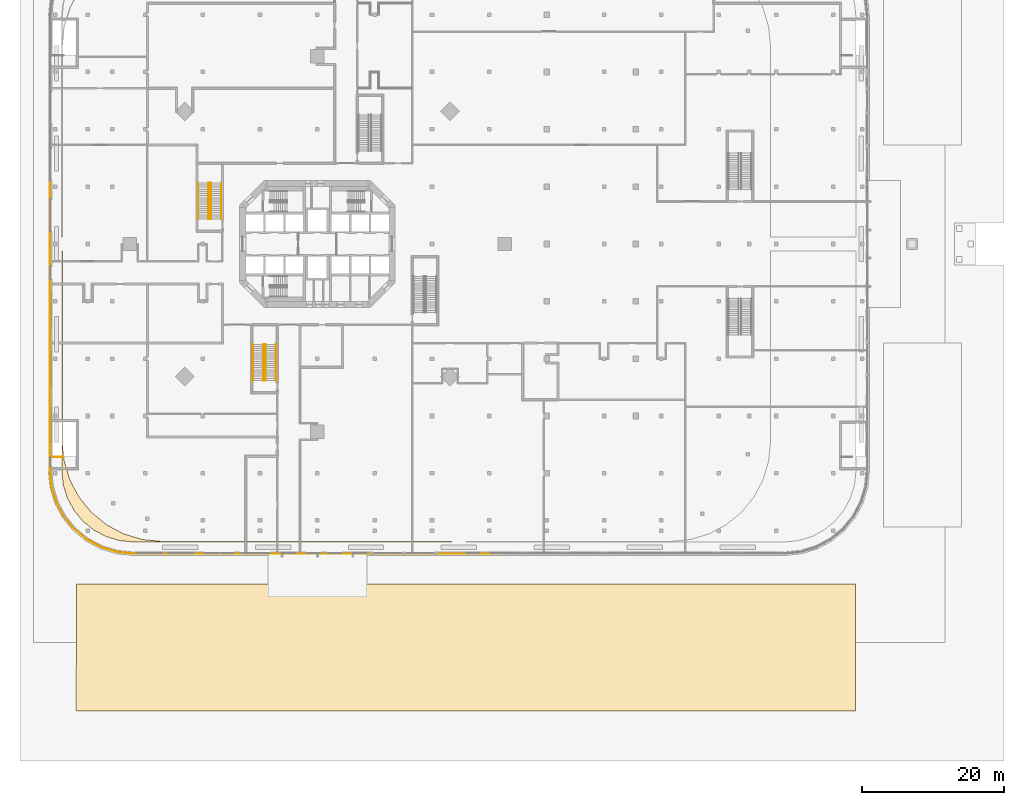
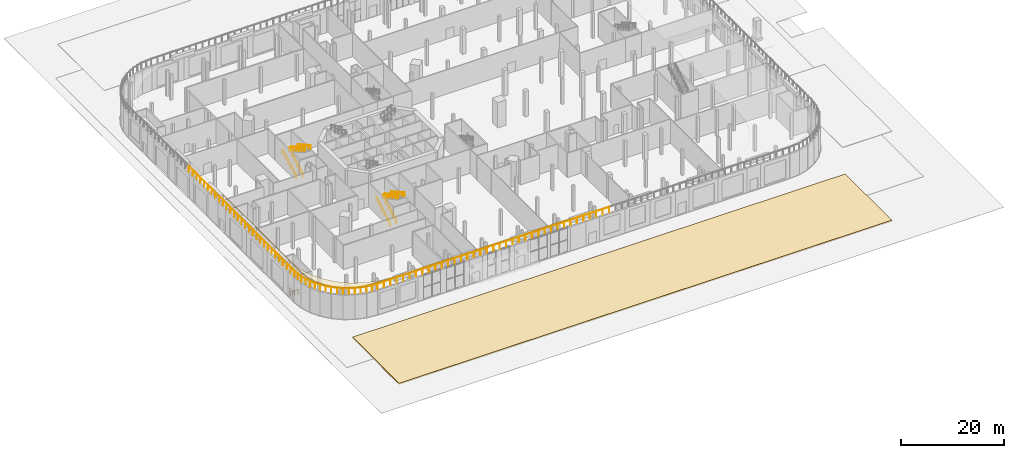
# One storey, part 27 of 32: 33 railings, 2 coverings, 2 elements without a shape of their own.
"""IFC4 building model written with IfcOpenShell, lengths in metres."""

from ifc_helpers import new_model, si_unit, direction, frame, origin, origin_2d, place, context, subcontext, project, spatial, polyline, rectangle, outline, extrude, material, layer, layer_set, type_object, element, aggregate, save


model = new_model("IFC4")

# Units and contexts
model_context = context("Model", 3, precision=1e-05, world=origin(), true_north=direction((0.0, 1.0)))
body_context = subcontext(model_context, "Body", "Model", "MODEL_VIEW")
ifc_project = project(units=[si_unit("LENGTHUNIT", "METRE"), si_unit("AREAUNIT", "SQUARE_METRE"), si_unit("VOLUMEUNIT", "CUBIC_METRE"), si_unit("PLANEANGLEUNIT", "RADIAN"), si_unit("MASSUNIT", "GRAM", prefix="KILO")], contexts=[model_context])

# Site, building, storey
site_placement = place(None, origin())
site = spatial("IfcSite", under=ifc_project, at=site_placement, CompositionType="ELEMENT")
building_placement = place(site_placement, origin())
building = spatial("IfcBuilding", under=site, at=building_placement, Name="Torre Triforio", CompositionType="ELEMENT")
storey_placement = place(building_placement, origin())
storey = spatial("IfcBuildingStorey", under=building, at=storey_placement, Name="L00", CompositionType="ELEMENT", Elevation=0.0)

# Coverings
ifc_material_1 = material(Name="Planted topsoil bed")
ifc_layer = layer(ifc_material_1, 0.300048828125)
ifc_layer_set = layer_set([ifc_layer], Name="Planted topsoil bed")
covering_type = type_object("IfcCoveringType", Name="Planted bed 300", PredefinedType="FLOORING", material=ifc_layer_set)
covering_1_placement = place(storey_placement, frame((0.0, 0.0, -0.25)))
element("IfcCovering", 1, at=covering_1_placement, inside=storey, type_object=covering_type, Name="Public garden planted bed south", PredefinedType="FLOORING", context=body_context, shape_type="SweptSolid", body=[
    extrude(outline(polyline([(76.0, -66.0), (76.0, -48.0), (-34.0, -48.0), (-34.0, -66.0), (76.0, -66.0)])), origin(), (0.0, 0.0, 1.0), 0.300048828125),
])
covering_2_placement = place(storey_placement, frame((0.0, 0.0, 6.0)))
element("IfcCovering", 2, at=covering_2_placement, inside=storey, type_object=covering_type, Name="Terrace T1 planted bed 1", PredefinedType="FLOORING", context=body_context, shape_type="SweptSolid", body=[
    extrude(outline(polyline([(-29.861572265625, -41.32275390625), (-31.606201171875, -40.39013671875), (-33.13525390625, -39.13525390625), (-34.39013671875, -37.606201171875), (-35.32275390625, -35.861572265625), (-35.89697265625, -33.968505859375), (-36.10009765625, -31.90673828125), (-36.10009765625, -1.0), (-36.0, -1.0), (-36.0, -28.098388671875), (-35.740478515625, -30.733154296875), (-34.943359375, -33.361328125), (-33.648681640625, -35.783447265625), (-31.90625, -37.90625), (-29.783447265625, -39.648681640625), (-27.361328125, -40.943359375), (-24.733154296875, -41.740478515625), (-22.098388671875, -42.0), (19.0, -42.0), (19.0, -42.10009765625), (-25.90673828125, -42.10009765625), (-27.968505859375, -41.89697265625), (-29.861572265625, -41.32275390625)])), origin(), (0.0, 0.0, 1.0), 0.300048828125),
])

# Stair, railings
ifc_material_2 = material(Name="Concrete C40", Category="concrete")
stair_type = type_object("IfcStairType", Name="Egress stair 1400 clear", PredefinedType="NOTDEFINED", material=ifc_material_2)
stair_1_placement = place(storey_placement, origin())
stair_1 = element("IfcStair", 3, at=stair_1_placement, inside=storey, type_object=stair_type, Name="Exit stair PS1 L00 to L01", PredefinedType="NOTDEFINED")
ifc_material_3 = material(Name="Stainless steel AISI 316", Category="steel")
railing_type_1 = type_object("IfcRailingType", Name="Stair handrail 920", PredefinedType="HANDRAIL", material=ifc_material_3)
railing_1_placement = place(storey_placement, frame((-16.824951171875, 3.52490234375, 0.166748046875)))
railing_1 = element("IfcRailing", 4, at=railing_1_placement, type_object=railing_type_1, Name="Handrail PS1", PredefinedType="HANDRAIL", context=body_context, shape_type="SweptSolid", body=[
    extrude(rectangle(XDim=0.048095703125, YDim=0.048095703125, at=origin_2d()), frame((0.0, 0.0, 0.89599609375), z_axis=(0.0, 0.874167145328, 0.485625166182), x_axis=(-1.0, 0.0, 0.0)), (0.0, 0.0, 1.0), 5.834228515625),
    extrude(rectangle(XDim=0.0419921875, YDim=0.0419921875, at=origin_2d()), origin(), (0.0, 0.0, 1.0), 0.871826171875),
    extrude(rectangle(XDim=0.0419921875, YDim=0.0419921875, at=origin_2d()), frame((0.0, 1.02001953125, 0.566650390625)), (0.0, 0.0, 1.0), 0.871826171875),
    extrude(rectangle(XDim=0.0419921875, YDim=0.0419921875, at=origin_2d()), frame((0.0, 2.0400390625, 1.13330078125)), (0.0, 0.0, 1.0), 0.871826171875),
    extrude(rectangle(XDim=0.0419921875, YDim=0.0419921875, at=origin_2d()), frame((0.0, 3.06005859375, 1.699951171875)), (0.0, 0.0, 1.0), 0.871826171875),
    extrude(rectangle(XDim=0.0419921875, YDim=0.0419921875, at=origin_2d()), frame((0.0, 4.080078125, 2.2666015625)), (0.0, 0.0, 1.0), 0.871826171875),
    extrude(rectangle(XDim=0.0419921875, YDim=0.0419921875, at=origin_2d()), frame((0.0, 5.10009765625, 2.833251953125)), (0.0, 0.0, 1.0), 0.871826171875),
])
railing_2_placement = place(storey_placement, frame((-15.375, 3.52490234375, 0.166748046875)))
railing_2 = element("IfcRailing", 5, at=railing_2_placement, type_object=railing_type_1, Name="Handrail PS1", PredefinedType="HANDRAIL", context=body_context, shape_type="SweptSolid", body=[
    extrude(rectangle(XDim=0.048095703125, YDim=0.048095703125, at=origin_2d()), frame((0.0, 0.0, 0.89599609375), z_axis=(0.0, 0.874167145328, 0.485625166182), x_axis=(-1.0, 0.0, 0.0)), (0.0, 0.0, 1.0), 5.834228515625),
    extrude(rectangle(XDim=0.0419921875, YDim=0.0419921875, at=origin_2d()), origin(), (0.0, 0.0, 1.0), 0.871826171875),
    extrude(rectangle(XDim=0.0419921875, YDim=0.0419921875, at=origin_2d()), frame((0.0, 1.02001953125, 0.566650390625)), (0.0, 0.0, 1.0), 0.871826171875),
    extrude(rectangle(XDim=0.0419921875, YDim=0.0419921875, at=origin_2d()), frame((0.0, 2.0400390625, 1.13330078125)), (0.0, 0.0, 1.0), 0.871826171875),
    extrude(rectangle(XDim=0.0419921875, YDim=0.0419921875, at=origin_2d()), frame((0.0, 3.06005859375, 1.699951171875)), (0.0, 0.0, 1.0), 0.871826171875),
    extrude(rectangle(XDim=0.0419921875, YDim=0.0419921875, at=origin_2d()), frame((0.0, 4.080078125, 2.2666015625)), (0.0, 0.0, 1.0), 0.871826171875),
    extrude(rectangle(XDim=0.0419921875, YDim=0.0419921875, at=origin_2d()), frame((0.0, 5.10009765625, 2.833251953125)), (0.0, 0.0, 1.0), 0.871826171875),
])
railing_3_placement = place(storey_placement, frame((-15.02490234375, 8.625, 3.166748046875)))
railing_3 = element("IfcRailing", 6, at=railing_3_placement, type_object=railing_type_1, Name="Handrail PS1", PredefinedType="HANDRAIL", context=body_context, shape_type="SweptSolid", body=[
    extrude(rectangle(XDim=0.048095703125, YDim=0.048095703125, at=origin_2d()), frame((0.0, 0.0, 0.89599609375), z_axis=(0.0, -0.874167145328, 0.485625166182), x_axis=(1.0, 0.0, 0.0)), (0.0, 0.0, 1.0), 5.834228515625),
    extrude(rectangle(XDim=0.0419921875, YDim=0.0419921875, at=origin_2d()), origin(), (0.0, 0.0, 1.0), 0.871826171875),
    extrude(rectangle(XDim=0.0419921875, YDim=0.0419921875, at=origin_2d()), frame((0.0, -1.02001953125, 0.566650390625)), (0.0, 0.0, 1.0), 0.871826171875),
    extrude(rectangle(XDim=0.0419921875, YDim=0.0419921875, at=origin_2d()), frame((0.0, -2.0400390625, 1.13330078125)), (0.0, 0.0, 1.0), 0.871826171875),
    extrude(rectangle(XDim=0.0419921875, YDim=0.0419921875, at=origin_2d()), frame((0.0, -3.06005859375, 1.699951171875)), (0.0, 0.0, 1.0), 0.871826171875),
    extrude(rectangle(XDim=0.0419921875, YDim=0.0419921875, at=origin_2d()), frame((0.0, -4.080078125, 2.2666015625)), (0.0, 0.0, 1.0), 0.871826171875),
    extrude(rectangle(XDim=0.0419921875, YDim=0.0419921875, at=origin_2d()), frame((0.0, -5.10009765625, 2.833251953125)), (0.0, 0.0, 1.0), 0.871826171875),
])
railing_4_placement = place(storey_placement, frame((-13.574951171875, 8.625, 3.166748046875)))
railing_4 = element("IfcRailing", 7, at=railing_4_placement, type_object=railing_type_1, Name="Handrail PS1", PredefinedType="HANDRAIL", context=body_context, shape_type="SweptSolid", body=[
    extrude(rectangle(XDim=0.048095703125, YDim=0.048095703125, at=origin_2d()), frame((0.0, 0.0, 0.89599609375), z_axis=(0.0, -0.874167145328, 0.485625166182), x_axis=(1.0, 0.0, 0.0)), (0.0, 0.0, 1.0), 5.834228515625),
    extrude(rectangle(XDim=0.0419921875, YDim=0.0419921875, at=origin_2d()), origin(), (0.0, 0.0, 1.0), 0.871826171875),
    extrude(rectangle(XDim=0.0419921875, YDim=0.0419921875, at=origin_2d()), frame((0.0, -1.02001953125, 0.566650390625)), (0.0, 0.0, 1.0), 0.871826171875),
    extrude(rectangle(XDim=0.0419921875, YDim=0.0419921875, at=origin_2d()), frame((0.0, -2.0400390625, 1.13330078125)), (0.0, 0.0, 1.0), 0.871826171875),
    extrude(rectangle(XDim=0.0419921875, YDim=0.0419921875, at=origin_2d()), frame((0.0, -3.06005859375, 1.699951171875)), (0.0, 0.0, 1.0), 0.871826171875),
    extrude(rectangle(XDim=0.0419921875, YDim=0.0419921875, at=origin_2d()), frame((0.0, -4.080078125, 2.2666015625)), (0.0, 0.0, 1.0), 0.871826171875),
    extrude(rectangle(XDim=0.0419921875, YDim=0.0419921875, at=origin_2d()), frame((0.0, -5.10009765625, 2.833251953125)), (0.0, 0.0, 1.0), 0.871826171875),
])
aggregate(stair_1, [railing_1, railing_2, railing_3, railing_4])

stair_2_placement = place(storey_placement, origin())
stair_2 = element("IfcStair", 8, at=stair_2_placement, inside=storey, type_object=stair_type, Name="Exit stair PS3 L00 to L01", PredefinedType="NOTDEFINED")
railing_5_placement = place(storey_placement, frame((-9.074951171875, -19.27490234375, 0.166748046875)))
railing_5 = element("IfcRailing", 9, at=railing_5_placement, type_object=railing_type_1, Name="Handrail PS3", PredefinedType="HANDRAIL", context=body_context, shape_type="SweptSolid", body=[
    extrude(rectangle(XDim=0.048095703125, YDim=0.048095703125, at=origin_2d()), frame((0.0, 0.0, 0.89599609375), z_axis=(0.0, 0.874157276122, 0.485642931179), x_axis=(-1.0, 0.0, 0.0)), (0.0, 0.0, 1.0), 5.833984375),
    extrude(rectangle(XDim=0.0419921875, YDim=0.0419921875, at=origin_2d()), origin(), (0.0, 0.0, 1.0), 0.871826171875),
    extrude(rectangle(XDim=0.0419921875, YDim=0.0419921875, at=origin_2d()), frame((0.0, 1.02001953125, 0.566650390625)), (0.0, 0.0, 1.0), 0.871826171875),
    extrude(rectangle(XDim=0.0419921875, YDim=0.0419921875, at=origin_2d()), frame((0.0, 2.0400390625, 1.13330078125)), (0.0, 0.0, 1.0), 0.871826171875),
    extrude(rectangle(XDim=0.0419921875, YDim=0.0419921875, at=origin_2d()), frame((0.0, 3.059814453125, 1.699951171875)), (0.0, 0.0, 1.0), 0.871826171875),
    extrude(rectangle(XDim=0.0419921875, YDim=0.0419921875, at=origin_2d()), frame((0.0, 4.079833984375, 2.2666015625)), (0.0, 0.0, 1.0), 0.871826171875),
    extrude(rectangle(XDim=0.0419921875, YDim=0.0419921875, at=origin_2d()), frame((0.0, 5.099853515625, 2.833251953125)), (0.0, 0.0, 1.0), 0.871826171875),
])
railing_6_placement = place(storey_placement, frame((-7.625, -19.27490234375, 0.166748046875)))
railing_6 = element("IfcRailing", 10, at=railing_6_placement, type_object=railing_type_1, Name="Handrail PS3", PredefinedType="HANDRAIL", context=body_context, shape_type="SweptSolid", body=[
    extrude(rectangle(XDim=0.048095703125, YDim=0.048095703125, at=origin_2d()), frame((0.0, 0.0, 0.89599609375), z_axis=(0.0, 0.874157276122, 0.485642931179), x_axis=(-1.0, 0.0, 0.0)), (0.0, 0.0, 1.0), 5.833984375),
    extrude(rectangle(XDim=0.0419921875, YDim=0.0419921875, at=origin_2d()), origin(), (0.0, 0.0, 1.0), 0.871826171875),
    extrude(rectangle(XDim=0.0419921875, YDim=0.0419921875, at=origin_2d()), frame((0.0, 1.02001953125, 0.566650390625)), (0.0, 0.0, 1.0), 0.871826171875),
    extrude(rectangle(XDim=0.0419921875, YDim=0.0419921875, at=origin_2d()), frame((0.0, 2.0400390625, 1.13330078125)), (0.0, 0.0, 1.0), 0.871826171875),
    extrude(rectangle(XDim=0.0419921875, YDim=0.0419921875, at=origin_2d()), frame((0.0, 3.059814453125, 1.699951171875)), (0.0, 0.0, 1.0), 0.871826171875),
    extrude(rectangle(XDim=0.0419921875, YDim=0.0419921875, at=origin_2d()), frame((0.0, 4.079833984375, 2.2666015625)), (0.0, 0.0, 1.0), 0.871826171875),
    extrude(rectangle(XDim=0.0419921875, YDim=0.0419921875, at=origin_2d()), frame((0.0, 5.099853515625, 2.833251953125)), (0.0, 0.0, 1.0), 0.871826171875),
])
railing_7_placement = place(storey_placement, frame((-7.27490234375, -14.175048828125, 3.166748046875)))
railing_7 = element("IfcRailing", 11, at=railing_7_placement, type_object=railing_type_1, Name="Handrail PS3", PredefinedType="HANDRAIL", context=body_context, shape_type="SweptSolid", body=[
    extrude(rectangle(XDim=0.048095703125, YDim=0.048095703125, at=origin_2d()), frame((0.0, 0.0, 0.89599609375), z_axis=(0.0, -0.874157276122, 0.485642931179), x_axis=(1.0, 0.0, 0.0)), (0.0, 0.0, 1.0), 5.833984375),
    extrude(rectangle(XDim=0.0419921875, YDim=0.0419921875, at=origin_2d()), origin(), (0.0, 0.0, 1.0), 0.871826171875),
    extrude(rectangle(XDim=0.0419921875, YDim=0.0419921875, at=origin_2d()), frame((0.0, -1.02001953125, 0.566650390625)), (0.0, 0.0, 1.0), 0.871826171875),
    extrude(rectangle(XDim=0.0419921875, YDim=0.0419921875, at=origin_2d()), frame((0.0, -2.0400390625, 1.13330078125)), (0.0, 0.0, 1.0), 0.871826171875),
    extrude(rectangle(XDim=0.0419921875, YDim=0.0419921875, at=origin_2d()), frame((0.0, -3.059814453125, 1.699951171875)), (0.0, 0.0, 1.0), 0.871826171875),
    extrude(rectangle(XDim=0.0419921875, YDim=0.0419921875, at=origin_2d()), frame((0.0, -4.079833984375, 2.2666015625)), (0.0, 0.0, 1.0), 0.871826171875),
    extrude(rectangle(XDim=0.0419921875, YDim=0.0419921875, at=origin_2d()), frame((0.0, -5.099853515625, 2.833251953125)), (0.0, 0.0, 1.0), 0.871826171875),
])
railing_8_placement = place(storey_placement, frame((-5.824951171875, -14.175048828125, 3.166748046875)))
railing_8 = element("IfcRailing", 12, at=railing_8_placement, type_object=railing_type_1, Name="Handrail PS3", PredefinedType="HANDRAIL", context=body_context, shape_type="SweptSolid", body=[
    extrude(rectangle(XDim=0.048095703125, YDim=0.048095703125, at=origin_2d()), frame((0.0, 0.0, 0.89599609375), z_axis=(0.0, -0.874157276122, 0.485642931179), x_axis=(1.0, 0.0, 0.0)), (0.0, 0.0, 1.0), 5.833984375),
    extrude(rectangle(XDim=0.0419921875, YDim=0.0419921875, at=origin_2d()), origin(), (0.0, 0.0, 1.0), 0.871826171875),
    extrude(rectangle(XDim=0.0419921875, YDim=0.0419921875, at=origin_2d()), frame((0.0, -1.02001953125, 0.566650390625)), (0.0, 0.0, 1.0), 0.871826171875),
    extrude(rectangle(XDim=0.0419921875, YDim=0.0419921875, at=origin_2d()), frame((0.0, -2.0400390625, 1.13330078125)), (0.0, 0.0, 1.0), 0.871826171875),
    extrude(rectangle(XDim=0.0419921875, YDim=0.0419921875, at=origin_2d()), frame((0.0, -3.059814453125, 1.699951171875)), (0.0, 0.0, 1.0), 0.871826171875),
    extrude(rectangle(XDim=0.0419921875, YDim=0.0419921875, at=origin_2d()), frame((0.0, -4.079833984375, 2.2666015625)), (0.0, 0.0, 1.0), 0.871826171875),
    extrude(rectangle(XDim=0.0419921875, YDim=0.0419921875, at=origin_2d()), frame((0.0, -5.099853515625, 2.833251953125)), (0.0, 0.0, 1.0), 0.871826171875),
])
aggregate(stair_2, [railing_5, railing_6, railing_7, railing_8])

# Railings
railing_type_2 = type_object("IfcRailingType", Name="Stair well guard 1100", PredefinedType="GUARDRAIL", material=ifc_material_3)
railing_9_placement = place(storey_placement, frame((-37.375, -30.074951171875, 0.0)))
element("IfcRailing", 13, at=railing_9_placement, inside=storey, type_object=railing_type_2, Name="Guard BS1 L00", PredefinedType="GUARDRAIL", context=body_context, shape_type="SweptSolid", body=[
    extrude(rectangle(XDim=0.048095703125, YDim=0.048095703125, at=origin_2d()), frame((0.0, 0.0, 1.076171875), z_axis=(1.0, 0.0, 0.0), x_axis=(0.0, 1.0, 0.0)), (0.0, 0.0, 1.0), 1.550048828125),
    extrude(rectangle(XDim=0.0419921875, YDim=0.0419921875, at=origin_2d()), origin(), (0.0, 0.0, 1.0), 1.052001953125),
    extrude(rectangle(XDim=0.0419921875, YDim=0.0419921875, at=origin_2d()), frame((0.77490234375, 0.0, 0.0)), (0.0, 0.0, 1.0), 1.052001953125),
    extrude(rectangle(XDim=0.0419921875, YDim=0.0419921875, at=origin_2d()), frame((1.550048828125, 0.0, 0.0)), (0.0, 0.0, 1.0), 1.052001953125),
])
railing_type_3 = type_object("IfcRailingType", Name="Terrace balustrade 1300", PredefinedType="BALUSTRADE", material=ifc_material_3)
for number, where, name in (
    (14, (-37.75, 8.723876953125, 6.0), "Terrace T1 balustrade 27.5"),
    (15, (-37.75, 2.907958984375, 6.0), "Terrace T1 balustrade 27.6"),
    (16, (-37.75, -2.907958984375, 6.0), "Terrace T1 balustrade 27.7"),
    (17, (-37.75, -8.723876953125, 6.0), "Terrace T1 balustrade 27.8"),
    (18, (-37.75, -14.539794921875, 6.0), "Terrace T1 balustrade 27.9"),
):
    element("IfcRailing", number, at=place(storey_placement, frame(where)), inside=storey, type_object=railing_type_3, Name=name, PredefinedType="BALUSTRADE", context=body_context, shape_type="SweptSolid", body=[
        extrude(rectangle(XDim=0.050048828125, YDim=0.050048828125, at=origin_2d()), frame((0.0, 0.0, 1.27490234375), z_axis=(0.0, -1.0, 0.0), x_axis=(1.0, 0.0, 0.0)), (0.0, 0.0, 1.0), 5.81591796875),
        extrude(rectangle(XDim=0.0400390625, YDim=0.0400390625, at=origin_2d()), origin(), (0.0, 0.0, 1.0), 1.25),
        extrude(rectangle(XDim=0.0400390625, YDim=0.0400390625, at=origin_2d()), frame((0.0, -1.4541015625, 0.0)), (0.0, 0.0, 1.0), 1.25),
        extrude(rectangle(XDim=0.0400390625, YDim=0.0400390625, at=origin_2d()), frame((0.0, -2.907958984375, 0.0)), (0.0, 0.0, 1.0), 1.25),
        extrude(rectangle(XDim=0.0400390625, YDim=0.0400390625, at=origin_2d()), frame((0.0, -4.36181640625, 0.0)), (0.0, 0.0, 1.0), 1.25),
        extrude(rectangle(XDim=0.0400390625, YDim=0.0400390625, at=origin_2d()), frame((0.0, -5.81591796875, 0.0)), (0.0, 0.0, 1.0), 1.25),
    ])
railing_10_placement = place(storey_placement, frame((-37.75, -20.355712890625, 6.0)))
element("IfcRailing", 19, at=railing_10_placement, inside=storey, type_object=railing_type_3, Name="Terrace T1 balustrade 27.10", PredefinedType="BALUSTRADE", context=body_context, shape_type="SweptSolid", body=[
    extrude(rectangle(XDim=0.050048828125, YDim=0.050048828125, at=origin_2d()), frame((0.0, 0.0, 1.27490234375), z_axis=(0.0, -1.0, 0.0), x_axis=(1.0, 0.0, 0.0)), (0.0, 0.0, 1.0), 5.816162109375),
    extrude(rectangle(XDim=0.0400390625, YDim=0.0400390625, at=origin_2d()), origin(), (0.0, 0.0, 1.0), 1.25),
    extrude(rectangle(XDim=0.0400390625, YDim=0.0400390625, at=origin_2d()), frame((0.0, -1.4541015625, 0.0)), (0.0, 0.0, 1.0), 1.25),
    extrude(rectangle(XDim=0.0400390625, YDim=0.0400390625, at=origin_2d()), frame((0.0, -2.908203125, 0.0)), (0.0, 0.0, 1.0), 1.25),
    extrude(rectangle(XDim=0.0400390625, YDim=0.0400390625, at=origin_2d()), frame((0.0, -4.362060546875, 0.0)), (0.0, 0.0, 1.0), 1.25),
    extrude(rectangle(XDim=0.0400390625, YDim=0.0400390625, at=origin_2d()), frame((0.0, -5.816162109375, 0.0)), (0.0, 0.0, 1.0), 1.25),
])
railing_11_placement = place(storey_placement, frame((-37.75, -26.171875, 6.0)))
element("IfcRailing", 20, at=railing_11_placement, inside=storey, type_object=railing_type_3, Name="Terrace T1 balustrade 27.11", PredefinedType="BALUSTRADE", context=body_context, shape_type="SweptSolid", body=[
    extrude(rectangle(XDim=0.050048828125, YDim=0.050048828125, at=origin_2d()), frame((0.0, 0.0, 1.27490234375), z_axis=(0.0, -1.0, 0.0), x_axis=(1.0, 0.0, 0.0)), (0.0, 0.0, 1.0), 5.81591796875),
    extrude(rectangle(XDim=0.0400390625, YDim=0.0400390625, at=origin_2d()), origin(), (0.0, 0.0, 1.0), 1.25),
    extrude(rectangle(XDim=0.0400390625, YDim=0.0400390625, at=origin_2d()), frame((0.0, -1.4541015625, 0.0)), (0.0, 0.0, 1.0), 1.25),
    extrude(rectangle(XDim=0.0400390625, YDim=0.0400390625, at=origin_2d()), frame((0.0, -2.907958984375, 0.0)), (0.0, 0.0, 1.0), 1.25),
    extrude(rectangle(XDim=0.0400390625, YDim=0.0400390625, at=origin_2d()), frame((0.0, -4.36181640625, 0.0)), (0.0, 0.0, 1.0), 1.25),
    extrude(rectangle(XDim=0.0400390625, YDim=0.0400390625, at=origin_2d()), frame((0.0, -5.81591796875, 0.0)), (0.0, 0.0, 1.0), 1.25),
])
railing_12_placement = place(storey_placement, frame((-37.75, -31.98779296875, 6.0)))
element("IfcRailing", 21, at=railing_12_placement, inside=storey, type_object=railing_type_3, Name="Terrace T1 balustrade 28", PredefinedType="BALUSTRADE", context=body_context, shape_type="SweptSolid", body=[
    extrude(rectangle(XDim=0.050048828125, YDim=0.050048828125, at=origin_2d()), frame((0.0, 0.0, 1.27490234375), z_axis=(0.098062895086, -0.99518021916, 0.0), x_axis=(0.99518021916, 0.098062895086, 0.0)), (0.0, 0.0, 1.0), 2.3154296875),
    extrude(rectangle(XDim=0.0400390625, YDim=0.0400390625, at=origin_2d()), origin(), (0.0, 0.0, 1.0), 1.25),
    extrude(rectangle(XDim=0.0400390625, YDim=0.0400390625, at=origin_2d()), frame((0.113525390625, -1.152099609375, 0.0)), (0.0, 0.0, 1.0), 1.25),
    extrude(rectangle(XDim=0.0400390625, YDim=0.0400390625, at=origin_2d()), frame((0.22705078125, -2.30419921875, 0.0)), (0.0, 0.0, 1.0), 1.25),
])
railing_13_placement = place(storey_placement, frame((-37.52294921875, -34.2919921875, 6.0)))
element("IfcRailing", 22, at=railing_13_placement, inside=storey, type_object=railing_type_3, Name="Terrace T1 balustrade 29", PredefinedType="BALUSTRADE", context=body_context, shape_type="SweptSolid", body=[
    extrude(rectangle(XDim=0.050048828125, YDim=0.050048828125, at=origin_2d()), frame((0.0, 0.0, 1.27490234375), z_axis=(0.290225091232, -0.956958408929, 0.0), x_axis=(0.956958408929, 0.290225091232, 0.0)), (0.0, 0.0, 1.0), 2.30322265625),
    extrude(rectangle(XDim=0.0400390625, YDim=0.0400390625, at=origin_2d()), origin(), (0.0, 0.0, 1.0), 1.25),
    extrude(rectangle(XDim=0.0400390625, YDim=0.0400390625, at=origin_2d()), frame((0.334228515625, -1.10205078125, 0.0)), (0.0, 0.0, 1.0), 1.25),
    extrude(rectangle(XDim=0.0400390625, YDim=0.0400390625, at=origin_2d()), frame((0.66845703125, -2.2041015625, 0.0)), (0.0, 0.0, 1.0), 1.25),
])
railing_14_placement = place(storey_placement, frame((-36.8544921875, -36.49609375, 6.0)))
element("IfcRailing", 23, at=railing_14_placement, inside=storey, type_object=railing_type_3, Name="Terrace T1 balustrade 30", PredefinedType="BALUSTRADE", context=body_context, shape_type="SweptSolid", body=[
    extrude(rectangle(XDim=0.050048828125, YDim=0.050048828125, at=origin_2d()), frame((0.0, 0.0, 1.27490234375), z_axis=(0.471385800251, -0.881927109982, 0.0), x_axis=(0.881927109982, 0.471385800251, 0.0)), (0.0, 0.0, 1.0), 2.30322265625),
    extrude(rectangle(XDim=0.0400390625, YDim=0.0400390625, at=origin_2d()), origin(), (0.0, 0.0, 1.0), 1.25),
    extrude(rectangle(XDim=0.0400390625, YDim=0.0400390625, at=origin_2d()), frame((0.54296875, -1.015625, 0.0)), (0.0, 0.0, 1.0), 1.25),
    extrude(rectangle(XDim=0.0400390625, YDim=0.0400390625, at=origin_2d()), frame((1.085693359375, -2.03125, 0.0)), (0.0, 0.0, 1.0), 1.25),
])
railing_15_placement = place(storey_placement, frame((-35.768798828125, -38.52734375, 6.0)))
element("IfcRailing", 24, at=railing_15_placement, inside=storey, type_object=railing_type_3, Name="Terrace T1 balustrade 31", PredefinedType="BALUSTRADE", context=body_context, shape_type="SweptSolid", body=[
    extrude(rectangle(XDim=0.050048828125, YDim=0.050048828125, at=origin_2d()), frame((0.0, 0.0, 1.27490234375), z_axis=(0.634431938273, -0.772978729137, 0.0), x_axis=(0.772978729137, 0.634431938273, 0.0)), (0.0, 0.0, 1.0), 2.30322265625),
    extrude(rectangle(XDim=0.0400390625, YDim=0.0400390625, at=origin_2d()), origin(), (0.0, 0.0, 1.0), 1.25),
    extrude(rectangle(XDim=0.0400390625, YDim=0.0400390625, at=origin_2d()), frame((0.73046875, -0.89013671875, 0.0)), (0.0, 0.0, 1.0), 1.25),
    extrude(rectangle(XDim=0.0400390625, YDim=0.0400390625, at=origin_2d()), frame((1.461181640625, -1.7802734375, 0.0)), (0.0, 0.0, 1.0), 1.25),
])
railing_16_placement = place(storey_placement, frame((-34.3076171875, -40.3076171875, 6.0)))
element("IfcRailing", 25, at=railing_16_placement, inside=storey, type_object=railing_type_3, Name="Terrace T1 balustrade 32", PredefinedType="BALUSTRADE", context=body_context, shape_type="SweptSolid", body=[
    extrude(rectangle(XDim=0.050048828125, YDim=0.050048828125, at=origin_2d()), frame((0.0, 0.0, 1.27490234375), z_axis=(0.772978729137, -0.634431938273, 0.0), x_axis=(0.634431938273, 0.772978729137, 0.0)), (0.0, 0.0, 1.0), 2.30322265625),
    extrude(rectangle(XDim=0.0400390625, YDim=0.0400390625, at=origin_2d()), origin(), (0.0, 0.0, 1.0), 1.25),
    extrude(rectangle(XDim=0.0400390625, YDim=0.0400390625, at=origin_2d()), frame((0.89013671875, -0.73046875, 0.0)), (0.0, 0.0, 1.0), 1.25),
    extrude(rectangle(XDim=0.0400390625, YDim=0.0400390625, at=origin_2d()), frame((1.7802734375, -1.461181640625, 0.0)), (0.0, 0.0, 1.0), 1.25),
])
railing_17_placement = place(storey_placement, frame((-32.52734375, -41.768798828125, 6.0)))
element("IfcRailing", 26, at=railing_17_placement, inside=storey, type_object=railing_type_3, Name="Terrace T1 balustrade 33", PredefinedType="BALUSTRADE", context=body_context, shape_type="SweptSolid", body=[
    extrude(rectangle(XDim=0.050048828125, YDim=0.050048828125, at=origin_2d()), frame((0.0, 0.0, 1.27490234375), z_axis=(0.881927109982, -0.471385800251, 0.0), x_axis=(0.471385800251, 0.881927109982, 0.0)), (0.0, 0.0, 1.0), 2.30322265625),
    extrude(rectangle(XDim=0.0400390625, YDim=0.0400390625, at=origin_2d()), origin(), (0.0, 0.0, 1.0), 1.25),
    extrude(rectangle(XDim=0.0400390625, YDim=0.0400390625, at=origin_2d()), frame((1.015625, -0.54296875, 0.0)), (0.0, 0.0, 1.0), 1.25),
    extrude(rectangle(XDim=0.0400390625, YDim=0.0400390625, at=origin_2d()), frame((2.03125, -1.085693359375, 0.0)), (0.0, 0.0, 1.0), 1.25),
])
railing_18_placement = place(storey_placement, frame((-30.49609375, -42.8544921875, 6.0)))
element("IfcRailing", 27, at=railing_18_placement, inside=storey, type_object=railing_type_3, Name="Terrace T1 balustrade 34", PredefinedType="BALUSTRADE", context=body_context, shape_type="SweptSolid", body=[
    extrude(rectangle(XDim=0.050048828125, YDim=0.050048828125, at=origin_2d()), frame((0.0, 0.0, 1.27490234375), z_axis=(0.956958408929, -0.290225091232, 0.0), x_axis=(0.290225091232, 0.956958408929, 0.0)), (0.0, 0.0, 1.0), 2.30322265625),
    extrude(rectangle(XDim=0.0400390625, YDim=0.0400390625, at=origin_2d()), origin(), (0.0, 0.0, 1.0), 1.25),
    extrude(rectangle(XDim=0.0400390625, YDim=0.0400390625, at=origin_2d()), frame((1.10205078125, -0.334228515625, 0.0)), (0.0, 0.0, 1.0), 1.25),
    extrude(rectangle(XDim=0.0400390625, YDim=0.0400390625, at=origin_2d()), frame((2.2041015625, -0.66845703125, 0.0)), (0.0, 0.0, 1.0), 1.25),
])
railing_19_placement = place(storey_placement, frame((-28.2919921875, -43.52294921875, 6.0)))
element("IfcRailing", 28, at=railing_19_placement, inside=storey, type_object=railing_type_3, Name="Terrace T1 balustrade 35", PredefinedType="BALUSTRADE", context=body_context, shape_type="SweptSolid", body=[
    extrude(rectangle(XDim=0.050048828125, YDim=0.050048828125, at=origin_2d()), frame((0.0, 0.0, 1.27490234375), z_axis=(0.99518021916, -0.098062895086, 0.0), x_axis=(0.098062895086, 0.99518021916, 0.0)), (0.0, 0.0, 1.0), 2.3154296875),
    extrude(rectangle(XDim=0.0400390625, YDim=0.0400390625, at=origin_2d()), origin(), (0.0, 0.0, 1.0), 1.25),
    extrude(rectangle(XDim=0.0400390625, YDim=0.0400390625, at=origin_2d()), frame((1.152099609375, -0.113525390625, 0.0)), (0.0, 0.0, 1.0), 1.25),
    extrude(rectangle(XDim=0.0400390625, YDim=0.0400390625, at=origin_2d()), frame((2.30419921875, -0.22705078125, 0.0)), (0.0, 0.0, 1.0), 1.25),
])
for number, where, name in (
    (29, (-25.98779296875, -43.75, 6.0), "Terrace T1 balustrade 36.1"),
    (30, (-20.2392578125, -43.75, 6.0), "Terrace T1 balustrade 36.2"),
    (31, (-14.49072265625, -43.75, 6.0), "Terrace T1 balustrade 36.3"),
):
    element("IfcRailing", number, at=place(storey_placement, frame(where)), inside=storey, type_object=railing_type_3, Name=name, PredefinedType="BALUSTRADE", context=body_context, shape_type="SweptSolid", body=[
        extrude(rectangle(XDim=0.050048828125, YDim=0.050048828125, at=origin_2d()), frame((0.0, 0.0, 1.27490234375), z_axis=(1.0, 0.0, 0.0), x_axis=(0.0, 1.0, 0.0)), (0.0, 0.0, 1.0), 5.74853515625),
        extrude(rectangle(XDim=0.0400390625, YDim=0.0400390625, at=origin_2d()), origin(), (0.0, 0.0, 1.0), 1.25),
        extrude(rectangle(XDim=0.0400390625, YDim=0.0400390625, at=origin_2d()), frame((1.43701171875, 0.0, 0.0)), (0.0, 0.0, 1.0), 1.25),
        extrude(rectangle(XDim=0.0400390625, YDim=0.0400390625, at=origin_2d()), frame((2.874267578125, 0.0, 0.0)), (0.0, 0.0, 1.0), 1.25),
        extrude(rectangle(XDim=0.0400390625, YDim=0.0400390625, at=origin_2d()), frame((4.3115234375, 0.0, 0.0)), (0.0, 0.0, 1.0), 1.25),
        extrude(rectangle(XDim=0.0400390625, YDim=0.0400390625, at=origin_2d()), frame((5.74853515625, 0.0, 0.0)), (0.0, 0.0, 1.0), 1.25),
    ])
railing_20_placement = place(storey_placement, frame((-8.7421875, -43.75, 6.0)))
element("IfcRailing", 32, at=railing_20_placement, inside=storey, type_object=railing_type_3, Name="Terrace T1 balustrade 36.4", PredefinedType="BALUSTRADE", context=body_context, shape_type="SweptSolid", body=[
    extrude(rectangle(XDim=0.050048828125, YDim=0.050048828125, at=origin_2d()), frame((0.0, 0.0, 1.27490234375), z_axis=(1.0, 0.0, 0.0), x_axis=(0.0, 1.0, 0.0)), (0.0, 0.0, 1.0), 5.748291015625),
    extrude(rectangle(XDim=0.0400390625, YDim=0.0400390625, at=origin_2d()), origin(), (0.0, 0.0, 1.0), 1.25),
    extrude(rectangle(XDim=0.0400390625, YDim=0.0400390625, at=origin_2d()), frame((1.43701171875, 0.0, 0.0)), (0.0, 0.0, 1.0), 1.25),
    extrude(rectangle(XDim=0.0400390625, YDim=0.0400390625, at=origin_2d()), frame((2.8740234375, 0.0, 0.0)), (0.0, 0.0, 1.0), 1.25),
    extrude(rectangle(XDim=0.0400390625, YDim=0.0400390625, at=origin_2d()), frame((4.311279296875, 0.0, 0.0)), (0.0, 0.0, 1.0), 1.25),
    extrude(rectangle(XDim=0.0400390625, YDim=0.0400390625, at=origin_2d()), frame((5.748291015625, 0.0, 0.0)), (0.0, 0.0, 1.0), 1.25),
])
for number, where, name in (
    (33, (-2.993896484375, -43.75, 6.0), "Terrace T1 balustrade 36.5"),
    (34, (2.754638671875, -43.75, 6.0), "Terrace T1 balustrade 36.6"),
):
    element("IfcRailing", number, at=place(storey_placement, frame(where)), inside=storey, type_object=railing_type_3, Name=name, PredefinedType="BALUSTRADE", context=body_context, shape_type="SweptSolid", body=[
        extrude(rectangle(XDim=0.050048828125, YDim=0.050048828125, at=origin_2d()), frame((0.0, 0.0, 1.27490234375), z_axis=(1.0, 0.0, 0.0), x_axis=(0.0, 1.0, 0.0)), (0.0, 0.0, 1.0), 5.74853515625),
        extrude(rectangle(XDim=0.0400390625, YDim=0.0400390625, at=origin_2d()), origin(), (0.0, 0.0, 1.0), 1.25),
        extrude(rectangle(XDim=0.0400390625, YDim=0.0400390625, at=origin_2d()), frame((1.43701171875, 0.0, 0.0)), (0.0, 0.0, 1.0), 1.25),
        extrude(rectangle(XDim=0.0400390625, YDim=0.0400390625, at=origin_2d()), frame((2.874267578125, 0.0, 0.0)), (0.0, 0.0, 1.0), 1.25),
        extrude(rectangle(XDim=0.0400390625, YDim=0.0400390625, at=origin_2d()), frame((4.3115234375, 0.0, 0.0)), (0.0, 0.0, 1.0), 1.25),
        extrude(rectangle(XDim=0.0400390625, YDim=0.0400390625, at=origin_2d()), frame((5.74853515625, 0.0, 0.0)), (0.0, 0.0, 1.0), 1.25),
    ])
railing_21_placement = place(storey_placement, frame((8.503173828125, -43.75, 6.0)))
element("IfcRailing", 35, at=railing_21_placement, inside=storey, type_object=railing_type_3, Name="Terrace T1 balustrade 36.7", PredefinedType="BALUSTRADE", context=body_context, shape_type="SweptSolid", body=[
    extrude(rectangle(XDim=0.050048828125, YDim=0.050048828125, at=origin_2d()), frame((0.0, 0.0, 1.27490234375), z_axis=(1.0, 0.0, 0.0), x_axis=(0.0, 1.0, 0.0)), (0.0, 0.0, 1.0), 5.748291015625),
    extrude(rectangle(XDim=0.0400390625, YDim=0.0400390625, at=origin_2d()), origin(), (0.0, 0.0, 1.0), 1.25),
    extrude(rectangle(XDim=0.0400390625, YDim=0.0400390625, at=origin_2d()), frame((1.43701171875, 0.0, 0.0)), (0.0, 0.0, 1.0), 1.25),
    extrude(rectangle(XDim=0.0400390625, YDim=0.0400390625, at=origin_2d()), frame((2.8740234375, 0.0, 0.0)), (0.0, 0.0, 1.0), 1.25),
    extrude(rectangle(XDim=0.0400390625, YDim=0.0400390625, at=origin_2d()), frame((4.311279296875, 0.0, 0.0)), (0.0, 0.0, 1.0), 1.25),
    extrude(rectangle(XDim=0.0400390625, YDim=0.0400390625, at=origin_2d()), frame((5.748291015625, 0.0, 0.0)), (0.0, 0.0, 1.0), 1.25),
])
for number, where, name in (
    (36, (14.25146484375, -43.75, 6.0), "Terrace T1 balustrade 36.8"),
    (37, (20.0, -43.75, 6.0), "Terrace T1 balustrade 36.9"),
):
    element("IfcRailing", number, at=place(storey_placement, frame(where)), inside=storey, type_object=railing_type_3, Name=name, PredefinedType="BALUSTRADE", context=body_context, shape_type="SweptSolid", body=[
        extrude(rectangle(XDim=0.050048828125, YDim=0.050048828125, at=origin_2d()), frame((0.0, 0.0, 1.27490234375), z_axis=(1.0, 0.0, 0.0), x_axis=(0.0, 1.0, 0.0)), (0.0, 0.0, 1.0), 5.74853515625),
        extrude(rectangle(XDim=0.0400390625, YDim=0.0400390625, at=origin_2d()), origin(), (0.0, 0.0, 1.0), 1.25),
        extrude(rectangle(XDim=0.0400390625, YDim=0.0400390625, at=origin_2d()), frame((1.43701171875, 0.0, 0.0)), (0.0, 0.0, 1.0), 1.25),
        extrude(rectangle(XDim=0.0400390625, YDim=0.0400390625, at=origin_2d()), frame((2.874267578125, 0.0, 0.0)), (0.0, 0.0, 1.0), 1.25),
        extrude(rectangle(XDim=0.0400390625, YDim=0.0400390625, at=origin_2d()), frame((4.3115234375, 0.0, 0.0)), (0.0, 0.0, 1.0), 1.25),
        extrude(rectangle(XDim=0.0400390625, YDim=0.0400390625, at=origin_2d()), frame((5.74853515625, 0.0, 0.0)), (0.0, 0.0, 1.0), 1.25),
    ])

save(model, "model.ifc")
